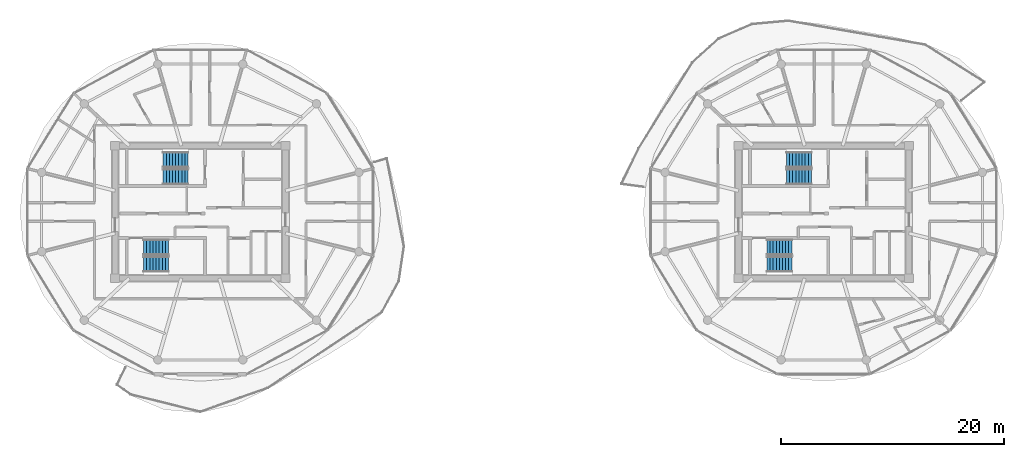
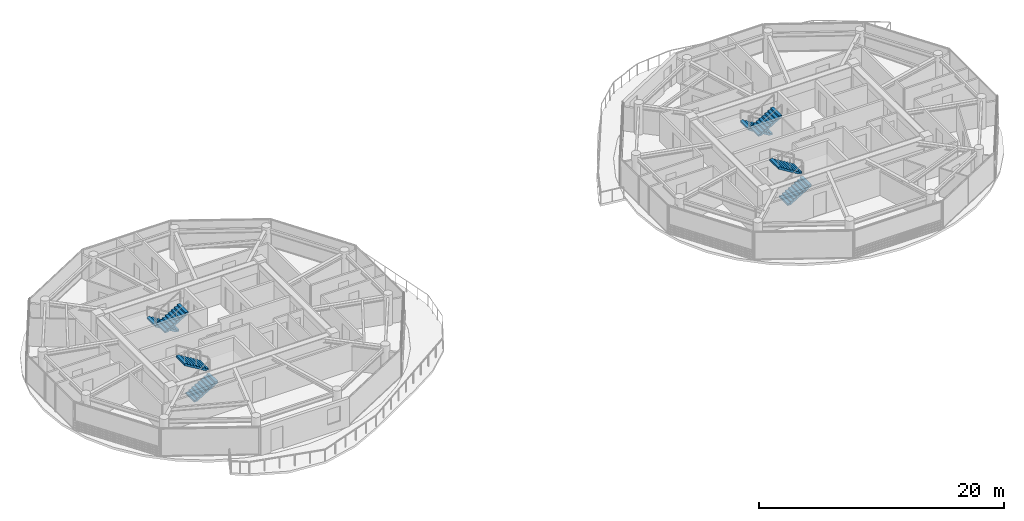
# One storey, part 14 of 19: 8 stair flights, 4 elements without a shape of their own.
"""IFC4 building model written with IfcOpenShell, lengths in metres."""

from ifc_helpers import new_model, si_unit, direction, frame, origin, place, context, subcontext, project, spatial, polyline, outline, extrude, material, type_object, element, aggregate, save


model = new_model("IFC4")

# Units and contexts
model_context = context("Model", 3, precision=1e-05, world=origin(), true_north=direction((0.0, 1.0)))
body_context = subcontext(model_context, "Body", "Model", "MODEL_VIEW")
ifc_project = project(units=[si_unit("LENGTHUNIT", "METRE"), si_unit("AREAUNIT", "SQUARE_METRE"), si_unit("VOLUMEUNIT", "CUBIC_METRE"), si_unit("PLANEANGLEUNIT", "RADIAN"), si_unit("MASSUNIT", "GRAM", prefix="KILO")], contexts=[model_context])

# Site, building, storey
site_placement = place(None, origin())
site = spatial("IfcSite", under=ifc_project, at=site_placement, CompositionType="ELEMENT")
building_placement = place(site_placement, origin())
building = spatial("IfcBuilding", under=site, at=building_placement, Name="Norrkilde Senior Care Towers", CompositionType="ELEMENT")
storey_placement = place(building_placement, frame((0.0, 0.0, 238.300048828125)))
storey = spatial("IfcBuildingStorey", under=building, at=storey_placement, Name="L74", CompositionType="ELEMENT", Elevation=238.300048828125)

# Stair, stair flights
ifc_material = material(Name="Concrete C45/55", Category="concrete")
stair_type = type_object("IfcStairType", Name="Core Protected Dogleg Stair Typical 3050", PredefinedType="HALF_TURN_STAIR", material=ifc_material)
stair_1_placement = place(storey_placement, origin())
stair_1 = element("IfcStair", 1, at=stair_1_placement, inside=storey, type_object=stair_type, Name="L74 Protected Core Stair W1", PredefinedType="HALF_TURN_STAIR")
stair_flight_type = type_object("IfcStairFlightType", Name="Core Protected Dogleg Stair Typical 3050 Flight", PredefinedType="STRAIGHT", material=ifc_material)
stair_flight_1_placement = place(storey_placement, frame((-29.10009765625, 4.699951171875, 0.0), z_axis=(0.0, 0.0, 1.0), x_axis=(-1.0, 0.0, 0.0)))
stair_flight_1 = element("IfcStairFlight", 2, at=stair_flight_1_placement, type_object=stair_flight_type, Name="ST-W1 flight 1", NumberOfRisers=9, NumberOfTreads=8, PredefinedType="STRAIGHT", RiserHeight=0.169444444, TreadLength=0.28, context=body_context, shape_type="SweptSolid", body=[
    extrude(outline(polyline([(0.0, 0.0), (0.0, 0.16943359375), (0.280029296875, 0.16943359375), (0.280029296875, 0.3388671875), (0.56005859375, 0.3388671875), (0.56005859375, 0.50830078125), (0.840087890625, 0.50830078125), (0.840087890625, 0.677734375), (1.1201171875, 0.677734375), (1.1201171875, 0.84716796875), (1.39990234375, 0.84716796875), (1.39990234375, 1.0166015625), (1.679931640625, 1.0166015625), (1.679931640625, 1.18603515625), (1.9599609375, 1.18603515625), (1.9599609375, 1.35546875), (2.239990234375, 1.35546875), (2.239990234375, 1.52490234375), (2.239990234375, 1.180419921875), (0.28955078125, 0.0), (0.0, 0.0)])), frame((0.0, 0.699951171875, 0.0), z_axis=(0.0, -1.0, 0.0), x_axis=(1.0, 0.0, 0.0)), (0.0, 0.0, 1.0), 1.39990234375),
])
stair_flight_2_placement = place(storey_placement, frame((-31.340087890625, 3.14990234375, 1.52490234375), z_axis=(0.0, 0.0, 1.0), x_axis=(1.0, 0.0, 0.0)))
stair_flight_2 = element("IfcStairFlight", 3, at=stair_flight_2_placement, type_object=stair_flight_type, Name="ST-W1 flight 2", NumberOfRisers=9, NumberOfTreads=8, PredefinedType="STRAIGHT", RiserHeight=0.169444444, TreadLength=0.28, context=body_context, shape_type="SweptSolid", body=[
    extrude(outline(polyline([(0.0, 0.0), (0.0, 0.16943359375), (0.280029296875, 0.16943359375), (0.280029296875, 0.3388671875), (0.56005859375, 0.3388671875), (0.56005859375, 0.50830078125), (0.840087890625, 0.50830078125), (0.840087890625, 0.677734375), (1.1201171875, 0.677734375), (1.1201171875, 0.84716796875), (1.39990234375, 0.84716796875), (1.39990234375, 1.0166015625), (1.679931640625, 1.0166015625), (1.679931640625, 1.18603515625), (1.9599609375, 1.18603515625), (1.9599609375, 1.35546875), (2.239990234375, 1.35546875), (2.239990234375, 1.52490234375), (2.239990234375, 1.180419921875), (0.28955078125, 0.0), (0.0, 0.0)])), frame((0.0, 0.699951171875, 0.0), z_axis=(0.0, -1.0, 0.0), x_axis=(1.0, 0.0, 0.0)), (0.0, 0.0, 1.0), 1.39990234375),
])
aggregate(stair_1, [stair_flight_1, stair_flight_2])

stair_2_placement = place(storey_placement, origin())
stair_2 = element("IfcStair", 4, at=stair_2_placement, inside=storey, type_object=stair_type, Name="L74 Protected Core Stair W2", PredefinedType="HALF_TURN_STAIR")
stair_flight_3_placement = place(storey_placement, frame((-33.10009765625, -4.699951171875, 0.0), z_axis=(0.0, 0.0, 1.0), x_axis=(1.0, 0.0, 0.0)))
stair_flight_3 = element("IfcStairFlight", 5, at=stair_flight_3_placement, type_object=stair_flight_type, Name="ST-W2 flight 1", NumberOfRisers=9, NumberOfTreads=8, PredefinedType="STRAIGHT", RiserHeight=0.169444444, TreadLength=0.28, context=body_context, shape_type="SweptSolid", body=[
    extrude(outline(polyline([(0.0, 0.0), (0.0, 0.16943359375), (0.280029296875, 0.16943359375), (0.280029296875, 0.3388671875), (0.56005859375, 0.3388671875), (0.56005859375, 0.50830078125), (0.840087890625, 0.50830078125), (0.840087890625, 0.677734375), (1.1201171875, 0.677734375), (1.1201171875, 0.84716796875), (1.39990234375, 0.84716796875), (1.39990234375, 1.0166015625), (1.679931640625, 1.0166015625), (1.679931640625, 1.18603515625), (1.9599609375, 1.18603515625), (1.9599609375, 1.35546875), (2.239990234375, 1.35546875), (2.239990234375, 1.52490234375), (2.239990234375, 1.180419921875), (0.28955078125, 0.0), (0.0, 0.0)])), frame((0.0, 0.699951171875, 0.0), z_axis=(0.0, -1.0, 0.0), x_axis=(1.0, 0.0, 0.0)), (0.0, 0.0, 1.0), 1.39990234375),
])
stair_flight_4_placement = place(storey_placement, frame((-30.860107421875, -3.14990234375, 1.52490234375), z_axis=(0.0, 0.0, 1.0), x_axis=(-1.0, 0.0, 0.0)))
stair_flight_4 = element("IfcStairFlight", 6, at=stair_flight_4_placement, type_object=stair_flight_type, Name="ST-W2 flight 2", NumberOfRisers=9, NumberOfTreads=8, PredefinedType="STRAIGHT", RiserHeight=0.169444444, TreadLength=0.28, context=body_context, shape_type="SweptSolid", body=[
    extrude(outline(polyline([(0.0, 0.0), (0.0, 0.16943359375), (0.280029296875, 0.16943359375), (0.280029296875, 0.3388671875), (0.56005859375, 0.3388671875), (0.56005859375, 0.50830078125), (0.840087890625, 0.50830078125), (0.840087890625, 0.677734375), (1.1201171875, 0.677734375), (1.1201171875, 0.84716796875), (1.39990234375, 0.84716796875), (1.39990234375, 1.0166015625), (1.679931640625, 1.0166015625), (1.679931640625, 1.18603515625), (1.9599609375, 1.18603515625), (1.9599609375, 1.35546875), (2.239990234375, 1.35546875), (2.239990234375, 1.52490234375), (2.239990234375, 1.180419921875), (0.28955078125, 0.0), (0.0, 0.0)])), frame((0.0, 0.699951171875, 0.0), z_axis=(0.0, -1.0, 0.0), x_axis=(1.0, 0.0, 0.0)), (0.0, 0.0, 1.0), 1.39990234375),
])
aggregate(stair_2, [stair_flight_3, stair_flight_4])

stair_3_placement = place(storey_placement, origin())
stair_3 = element("IfcStair", 7, at=stair_3_placement, inside=storey, type_object=stair_type, Name="L74 Protected Core Stair E1", PredefinedType="HALF_TURN_STAIR")
stair_flight_5_placement = place(storey_placement, frame((26.89990234375, 4.699951171875, 0.0), z_axis=(0.0, 0.0, 1.0), x_axis=(-1.0, 0.0, 0.0)))
stair_flight_5 = element("IfcStairFlight", 8, at=stair_flight_5_placement, type_object=stair_flight_type, Name="ST-E1 flight 1", NumberOfRisers=9, NumberOfTreads=8, PredefinedType="STRAIGHT", RiserHeight=0.169444444, TreadLength=0.28, context=body_context, shape_type="SweptSolid", body=[
    extrude(outline(polyline([(0.0, 0.0), (0.0, 0.16943359375), (0.280029296875, 0.16943359375), (0.280029296875, 0.3388671875), (0.56005859375, 0.3388671875), (0.56005859375, 0.50830078125), (0.840087890625, 0.50830078125), (0.840087890625, 0.677734375), (1.1201171875, 0.677734375), (1.1201171875, 0.84716796875), (1.39990234375, 0.84716796875), (1.39990234375, 1.0166015625), (1.679931640625, 1.0166015625), (1.679931640625, 1.18603515625), (1.9599609375, 1.18603515625), (1.9599609375, 1.35546875), (2.239990234375, 1.35546875), (2.239990234375, 1.52490234375), (2.239990234375, 1.180419921875), (0.28955078125, 0.0), (0.0, 0.0)])), frame((0.0, 0.699951171875, 0.0), z_axis=(0.0, -1.0, 0.0), x_axis=(1.0, 0.0, 0.0)), (0.0, 0.0, 1.0), 1.39990234375),
])
stair_flight_6_placement = place(storey_placement, frame((24.659912109375, 3.14990234375, 1.52490234375), z_axis=(0.0, 0.0, 1.0), x_axis=(1.0, 0.0, 0.0)))
stair_flight_6 = element("IfcStairFlight", 9, at=stair_flight_6_placement, type_object=stair_flight_type, Name="ST-E1 flight 2", NumberOfRisers=9, NumberOfTreads=8, PredefinedType="STRAIGHT", RiserHeight=0.169444444, TreadLength=0.28, context=body_context, shape_type="SweptSolid", body=[
    extrude(outline(polyline([(0.0, 0.0), (0.0, 0.16943359375), (0.280029296875, 0.16943359375), (0.280029296875, 0.3388671875), (0.56005859375, 0.3388671875), (0.56005859375, 0.50830078125), (0.840087890625, 0.50830078125), (0.840087890625, 0.677734375), (1.1201171875, 0.677734375), (1.1201171875, 0.84716796875), (1.39990234375, 0.84716796875), (1.39990234375, 1.0166015625), (1.679931640625, 1.0166015625), (1.679931640625, 1.18603515625), (1.9599609375, 1.18603515625), (1.9599609375, 1.35546875), (2.239990234375, 1.35546875), (2.239990234375, 1.52490234375), (2.239990234375, 1.180419921875), (0.28955078125, 0.0), (0.0, 0.0)])), frame((0.0, 0.699951171875, 0.0), z_axis=(0.0, -1.0, 0.0), x_axis=(1.0, 0.0, 0.0)), (0.0, 0.0, 1.0), 1.39990234375),
])
aggregate(stair_3, [stair_flight_5, stair_flight_6])

stair_4_placement = place(storey_placement, origin())
stair_4 = element("IfcStair", 10, at=stair_4_placement, inside=storey, type_object=stair_type, Name="L74 Protected Core Stair E2", PredefinedType="HALF_TURN_STAIR")
stair_flight_7_placement = place(storey_placement, frame((22.89990234375, -4.699951171875, 0.0), z_axis=(0.0, 0.0, 1.0), x_axis=(1.0, 0.0, 0.0)))
stair_flight_7 = element("IfcStairFlight", 11, at=stair_flight_7_placement, type_object=stair_flight_type, Name="ST-E2 flight 1", NumberOfRisers=9, NumberOfTreads=8, PredefinedType="STRAIGHT", RiserHeight=0.169444444, TreadLength=0.28, context=body_context, shape_type="SweptSolid", body=[
    extrude(outline(polyline([(0.0, 0.0), (0.0, 0.16943359375), (0.280029296875, 0.16943359375), (0.280029296875, 0.3388671875), (0.56005859375, 0.3388671875), (0.56005859375, 0.50830078125), (0.840087890625, 0.50830078125), (0.840087890625, 0.677734375), (1.1201171875, 0.677734375), (1.1201171875, 0.84716796875), (1.39990234375, 0.84716796875), (1.39990234375, 1.0166015625), (1.679931640625, 1.0166015625), (1.679931640625, 1.18603515625), (1.9599609375, 1.18603515625), (1.9599609375, 1.35546875), (2.239990234375, 1.35546875), (2.239990234375, 1.52490234375), (2.239990234375, 1.180419921875), (0.28955078125, 0.0), (0.0, 0.0)])), frame((0.0, 0.699951171875, 0.0), z_axis=(0.0, -1.0, 0.0), x_axis=(1.0, 0.0, 0.0)), (0.0, 0.0, 1.0), 1.39990234375),
])
stair_flight_8_placement = place(storey_placement, frame((25.139892578125, -3.14990234375, 1.52490234375), z_axis=(0.0, 0.0, 1.0), x_axis=(-1.0, 0.0, 0.0)))
stair_flight_8 = element("IfcStairFlight", 12, at=stair_flight_8_placement, type_object=stair_flight_type, Name="ST-E2 flight 2", NumberOfRisers=9, NumberOfTreads=8, PredefinedType="STRAIGHT", RiserHeight=0.169444444, TreadLength=0.28, context=body_context, shape_type="SweptSolid", body=[
    extrude(outline(polyline([(0.0, 0.0), (0.0, 0.16943359375), (0.280029296875, 0.16943359375), (0.280029296875, 0.3388671875), (0.56005859375, 0.3388671875), (0.56005859375, 0.50830078125), (0.840087890625, 0.50830078125), (0.840087890625, 0.677734375), (1.1201171875, 0.677734375), (1.1201171875, 0.84716796875), (1.39990234375, 0.84716796875), (1.39990234375, 1.0166015625), (1.679931640625, 1.0166015625), (1.679931640625, 1.18603515625), (1.9599609375, 1.18603515625), (1.9599609375, 1.35546875), (2.239990234375, 1.35546875), (2.239990234375, 1.52490234375), (2.239990234375, 1.180419921875), (0.28955078125, 0.0), (0.0, 0.0)])), frame((0.0, 0.699951171875, 0.0), z_axis=(0.0, -1.0, 0.0), x_axis=(1.0, 0.0, 0.0)), (0.0, 0.0, 1.0), 1.39990234375),
])
aggregate(stair_4, [stair_flight_7, stair_flight_8])

save(model, "model.ifc")
